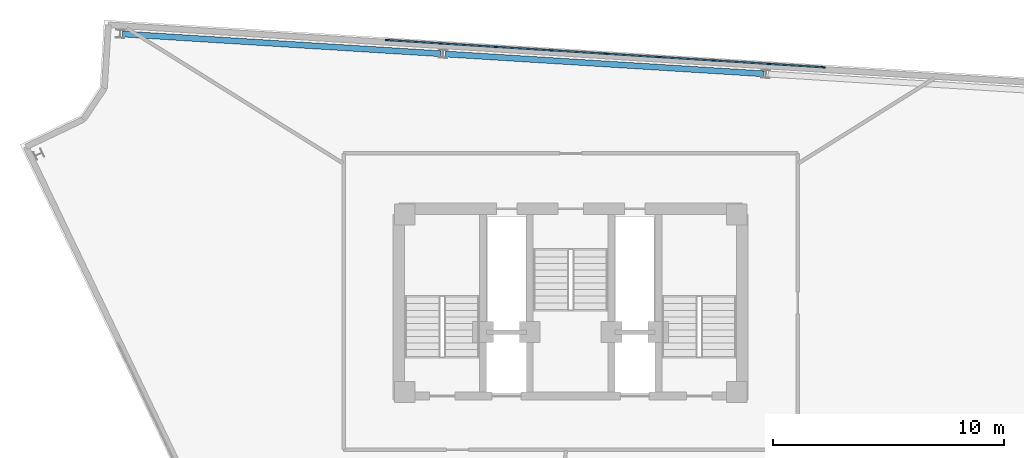
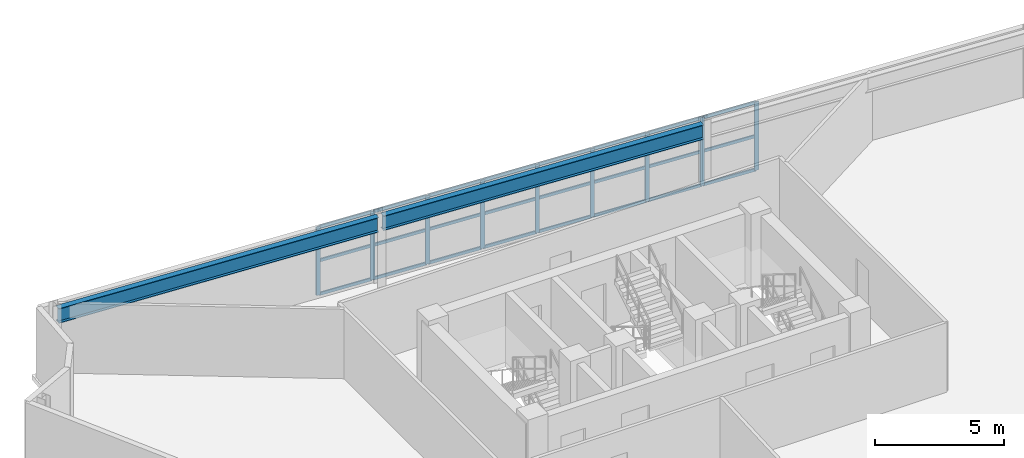
# One storey, part 5 of 8: 33 members, 2 beams, 1 element without a shape of its own.
"""IFC4 building model written with IfcOpenShell, lengths in metres."""

from ifc_helpers import new_model, si_unit, direction, frame, origin, origin_2d, place, context, subcontext, project, spatial, rectangle, i_section, extrude, material, layer, layer_set, material_profile, profile_set, type_object, element, aggregate, save


model = new_model("IFC4")

# Units and contexts
model_context = context("Model", 3, precision=1e-05, world=origin(), true_north=direction((0.0, 1.0)))
body_context = subcontext(model_context, "Body", "Model", "MODEL_VIEW")
ifc_project = project(units=[si_unit("LENGTHUNIT", "METRE"), si_unit("AREAUNIT", "SQUARE_METRE"), si_unit("VOLUMEUNIT", "CUBIC_METRE"), si_unit("PLANEANGLEUNIT", "RADIAN"), si_unit("MASSUNIT", "GRAM", prefix="KILO")], contexts=[model_context])

# Site, building, storey
site_placement = place(None, origin())
site = spatial("IfcSite", under=ifc_project, at=site_placement, CompositionType="ELEMENT")
building_placement = place(site_placement, origin())
building = spatial("IfcBuilding", under=site, at=building_placement, Name="Apsidion Concourse Tower", CompositionType="ELEMENT")
storey_placement = place(building_placement, frame((0.0, 0.0, 332.5)))
storey = spatial("IfcBuildingStorey", under=building, at=storey_placement, Name="L78", CompositionType="ELEMENT", Elevation=332.5)

# Beams
ifc_material_1 = material(Name="Structural steel ASTM A992 Grade 50", Category="steel")
ifc_material_profile_1 = material_profile(ifc_material_1, i_section(OverallWidth=0.256103515625, OverallDepth=0.693115234375, WebThickness=0.014404296875, FlangeThickness=0.023681640625, at=origin_2d()), Name="W27X114")
ifc_profile_set_1 = profile_set([ifc_material_profile_1], Name="Structural steel ASTM A992 Grade 50")
beam_type = type_object("IfcBeamType", Name="BM-SP-W27", PredefinedType="SPANDREL", material=ifc_profile_set_1)
for number, where, z_axis, x_axis, name in (
    (1, (8.36962890625, 15.254638671875, 2.93359375), (-0.998076537228, 0.061993756414, 0.0), (-0.061993756414, -0.998076537228, 0.0), "L78 Crown Perimeter Spandrel Beam CSP-04"),
    (2, (-5.637939453125, 16.12451171875, 2.93359375), (-0.998076537228, 0.061993756414, 0.0), (-0.061993756414, -0.998076537228, 0.0), "L78 Crown Perimeter Spandrel Beam CSP-05"),
):
    element("IfcBeam", number, at=place(storey_placement, frame(where, z_axis=z_axis, x_axis=x_axis)), inside=storey, type_object=beam_type, Name=name, PredefinedType="SPANDREL", context=body_context, shape_type="SweptSolid", body=[
        extrude(i_section(OverallWidth=0.256103515625, OverallDepth=0.693115234375, WebThickness=0.014404296875, FlangeThickness=0.023681640625, at=origin_2d()), origin(), (0.0, 0.0, 1.0), 13.834716796875),
    ])

# Curtain wall, members
ifc_material_2 = material(Name="Insulated laminated low-E glass", Category="glass")
ifc_layer = layer(ifc_material_2, 0.239990234375)
ifc_layer_set = layer_set([ifc_layer], Name="Insulated laminated low-E glass")
curtain_wall_type = type_object("IfcCurtainWallType", Name="CW-SYS-06", PredefinedType="NOTDEFINED", material=ifc_layer_set)
curtain_wall_placement = place(storey_placement, origin())
curtain_wall = element("IfcCurtainWall", 3, at=curtain_wall_placement, inside=storey, type_object=curtain_wall_type, Name="L78 Slanted Crown Curtain Wall 4", PredefinedType="NOTDEFINED")
ifc_material_3 = material(Name="Anodised aluminium EN AW-6063 T6", Category="aluminium")
ifc_material_profile_2 = material_profile(ifc_material_3, rectangle(XDim=0.06494140625, YDim=0.179931640625, at=origin_2d()), Name="ALU MULLION 65x180")
ifc_profile_set_2 = profile_set([ifc_material_profile_2], Name="Anodised aluminium EN AW-6063 T6")
member_type_1 = type_object("IfcMemberType", Name="CWM-65X180", PredefinedType="MULLION", material=ifc_profile_set_2)
member_1_placement = place(storey_placement, frame((-7.951171875, 16.716552734375, 0.0), z_axis=(0.0, 0.0, 1.0), x_axis=(0.062244591953, 0.998060925381, 0.0)))
member_1 = element("IfcMember", 4, at=member_1_placement, type_object=member_type_1, Name="CW-06 mullion 1", PredefinedType="MULLION", context=body_context, shape_type="SweptSolid", body=[
    extrude(rectangle(XDim=0.06494140625, YDim=0.179931640625, at=origin_2d()), origin(), (0.0, 0.0, 1.0), 3.22998046875),
])
member_2_placement = place(storey_placement, frame((-5.61328125, 16.57080078125, 0.0), z_axis=(0.0, 0.0, 1.0), x_axis=(0.062244591953, 0.998060925381, 0.0)))
member_2 = element("IfcMember", 5, at=member_2_placement, type_object=member_type_1, Name="CW-06 mullion 2", PredefinedType="MULLION", context=body_context, shape_type="SweptSolid", body=[
    extrude(rectangle(XDim=0.06494140625, YDim=0.179931640625, at=origin_2d()), origin(), (0.0, 0.0, 1.0), 3.22998046875),
])
member_3_placement = place(storey_placement, frame((-3.2431640625, 16.4228515625, 0.0), z_axis=(0.0, 0.0, 1.0), x_axis=(0.062244591953, 0.998060925381, 0.0)))
member_3 = element("IfcMember", 6, at=member_3_placement, type_object=member_type_1, Name="CW-06 mullion 3", PredefinedType="MULLION", context=body_context, shape_type="SweptSolid", body=[
    extrude(rectangle(XDim=0.06494140625, YDim=0.179931640625, at=origin_2d()), origin(), (0.0, 0.0, 1.0), 3.22998046875),
])
member_4_placement = place(storey_placement, frame((-0.872802734375, 16.275146484375, 0.0), z_axis=(0.0, 0.0, 1.0), x_axis=(0.062244591953, 0.998060925381, 0.0)))
member_4 = element("IfcMember", 7, at=member_4_placement, type_object=member_type_1, Name="CW-06 mullion 4", PredefinedType="MULLION", context=body_context, shape_type="SweptSolid", body=[
    extrude(rectangle(XDim=0.06494140625, YDim=0.179931640625, at=origin_2d()), origin(), (0.0, 0.0, 1.0), 3.22998046875),
])
member_5_placement = place(storey_placement, frame((1.49755859375, 16.127197265625, 0.0), z_axis=(0.0, 0.0, 1.0), x_axis=(0.062244591953, 0.998060925381, 0.0)))
member_5 = element("IfcMember", 8, at=member_5_placement, type_object=member_type_1, Name="CW-06 mullion 5", PredefinedType="MULLION", context=body_context, shape_type="SweptSolid", body=[
    extrude(rectangle(XDim=0.06494140625, YDim=0.179931640625, at=origin_2d()), origin(), (0.0, 0.0, 1.0), 3.22998046875),
])
member_6_placement = place(storey_placement, frame((3.867919921875, 15.9794921875, 0.0), z_axis=(0.0, 0.0, 1.0), x_axis=(0.062244591953, 0.998060925381, 0.0)))
member_6 = element("IfcMember", 9, at=member_6_placement, type_object=member_type_1, Name="CW-06 mullion 6", PredefinedType="MULLION", context=body_context, shape_type="SweptSolid", body=[
    extrude(rectangle(XDim=0.06494140625, YDim=0.179931640625, at=origin_2d()), origin(), (0.0, 0.0, 1.0), 3.22998046875),
])
member_7_placement = place(storey_placement, frame((6.238037109375, 15.83154296875, 0.0), z_axis=(0.0, 0.0, 1.0), x_axis=(0.062244591953, 0.998060925381, 0.0)))
member_7 = element("IfcMember", 10, at=member_7_placement, type_object=member_type_1, Name="CW-06 mullion 7", PredefinedType="MULLION", context=body_context, shape_type="SweptSolid", body=[
    extrude(rectangle(XDim=0.06494140625, YDim=0.179931640625, at=origin_2d()), origin(), (0.0, 0.0, 1.0), 3.22998046875),
])
member_8_placement = place(storey_placement, frame((8.6083984375, 15.683837890625, 0.0), z_axis=(0.0, 0.0, 1.0), x_axis=(0.062244591953, 0.998060925381, 0.0)))
member_8 = element("IfcMember", 11, at=member_8_placement, type_object=member_type_1, Name="CW-06 mullion 8", PredefinedType="MULLION", context=body_context, shape_type="SweptSolid", body=[
    extrude(rectangle(XDim=0.06494140625, YDim=0.179931640625, at=origin_2d()), origin(), (0.0, 0.0, 1.0), 3.22998046875),
])
member_9_placement = place(storey_placement, frame((10.9462890625, 15.5380859375, 0.0), z_axis=(0.0, 0.0, 1.0), x_axis=(0.062244591953, 0.998060925381, 0.0)))
member_9 = element("IfcMember", 12, at=member_9_placement, type_object=member_type_1, Name="CW-06 mullion 9", PredefinedType="MULLION", context=body_context, shape_type="SweptSolid", body=[
    extrude(rectangle(XDim=0.06494140625, YDim=0.179931640625, at=origin_2d()), origin(), (0.0, 0.0, 1.0), 3.22998046875),
])
ifc_material_profile_3 = material_profile(ifc_material_3, rectangle(XDim=0.06494140625, YDim=0.139892578125, at=origin_2d()), Name="ALU TRANSOM 65x140")
ifc_profile_set_3 = profile_set([ifc_material_profile_3], Name="Anodised aluminium EN AW-6063 T6")
member_type_2 = type_object("IfcMemberType", Name="CWT-65X140", PredefinedType="USERDEFINED", material=ifc_profile_set_3)
member_10_placement = place(storey_placement, frame((-7.9189453125, 16.714599609375, 0.032470703125), z_axis=(0.998058829769, -0.062278184953, 0.0), x_axis=(0.062278184953, 0.998058829769, 0.0)))
member_10 = element("IfcMember", 13, at=member_10_placement, type_object=member_type_2, Name="CW-06 transom 1.1", ObjectType="TRANSOM", PredefinedType="USERDEFINED", context=body_context, shape_type="SweptSolid", body=[
    extrude(rectangle(XDim=0.06494140625, YDim=0.139892578125, at=origin_2d()), origin(), (0.0, 0.0, 1.0), 2.277587890625),
])
member_11_placement = place(storey_placement, frame((-7.9189453125, 16.714599609375, 1.614990234375), z_axis=(0.998058829769, -0.062278184953, 0.0), x_axis=(0.062278184953, 0.998058829769, 0.0)))
member_11 = element("IfcMember", 14, at=member_11_placement, type_object=member_type_2, Name="CW-06 transom 1.2", ObjectType="TRANSOM", PredefinedType="USERDEFINED", context=body_context, shape_type="SweptSolid", body=[
    extrude(rectangle(XDim=0.06494140625, YDim=0.139892578125, at=origin_2d()), origin(), (0.0, 0.0, 1.0), 2.277587890625),
])
member_12_placement = place(storey_placement, frame((-7.9189453125, 16.714599609375, 3.197509765625), z_axis=(0.998058829769, -0.062278184953, 0.0), x_axis=(0.062278184953, 0.998058829769, 0.0)))
member_12 = element("IfcMember", 15, at=member_12_placement, type_object=member_type_2, Name="CW-06 transom 1.3", ObjectType="TRANSOM", PredefinedType="USERDEFINED", context=body_context, shape_type="SweptSolid", body=[
    extrude(rectangle(XDim=0.06494140625, YDim=0.139892578125, at=origin_2d()), origin(), (0.0, 0.0, 1.0), 2.277587890625),
])
member_13_placement = place(storey_placement, frame((-5.5810546875, 16.56884765625, 0.032470703125), z_axis=(0.998060384543, -0.062253263422, 0.0), x_axis=(0.062253263422, 0.998060384543, 0.0)))
member_13 = element("IfcMember", 16, at=member_13_placement, type_object=member_type_2, Name="CW-06 transom 2.1", ObjectType="TRANSOM", PredefinedType="USERDEFINED", context=body_context, shape_type="SweptSolid", body=[
    extrude(rectangle(XDim=0.06494140625, YDim=0.139892578125, at=origin_2d()), origin(), (0.0, 0.0, 1.0), 2.309814453125),
])
member_14_placement = place(storey_placement, frame((-5.5810546875, 16.56884765625, 1.614990234375), z_axis=(0.998060384543, -0.062253263422, 0.0), x_axis=(0.062253263422, 0.998060384543, 0.0)))
member_14 = element("IfcMember", 17, at=member_14_placement, type_object=member_type_2, Name="CW-06 transom 2.2", ObjectType="TRANSOM", PredefinedType="USERDEFINED", context=body_context, shape_type="SweptSolid", body=[
    extrude(rectangle(XDim=0.06494140625, YDim=0.139892578125, at=origin_2d()), origin(), (0.0, 0.0, 1.0), 2.309814453125),
])
member_15_placement = place(storey_placement, frame((-5.5810546875, 16.56884765625, 3.197509765625), z_axis=(0.998060384543, -0.062253263422, 0.0), x_axis=(0.062253263422, 0.998060384543, 0.0)))
member_15 = element("IfcMember", 18, at=member_15_placement, type_object=member_type_2, Name="CW-06 transom 2.3", ObjectType="TRANSOM", PredefinedType="USERDEFINED", context=body_context, shape_type="SweptSolid", body=[
    extrude(rectangle(XDim=0.06494140625, YDim=0.139892578125, at=origin_2d()), origin(), (0.0, 0.0, 1.0), 2.309814453125),
])
member_16_placement = place(storey_placement, frame((-3.210693359375, 16.4208984375, 0.032470703125), z_axis=(0.998060384543, -0.062253263422, 0.0), x_axis=(0.062253263422, 0.998060384543, 0.0)))
member_16 = element("IfcMember", 19, at=member_16_placement, type_object=member_type_2, Name="CW-06 transom 3.1", ObjectType="TRANSOM", PredefinedType="USERDEFINED", context=body_context, shape_type="SweptSolid", body=[
    extrude(rectangle(XDim=0.06494140625, YDim=0.139892578125, at=origin_2d()), origin(), (0.0, 0.0, 1.0), 2.309814453125),
])
member_17_placement = place(storey_placement, frame((-3.210693359375, 16.4208984375, 1.614990234375), z_axis=(0.998060384543, -0.062253263422, 0.0), x_axis=(0.062253263422, 0.998060384543, 0.0)))
member_17 = element("IfcMember", 20, at=member_17_placement, type_object=member_type_2, Name="CW-06 transom 3.2", ObjectType="TRANSOM", PredefinedType="USERDEFINED", context=body_context, shape_type="SweptSolid", body=[
    extrude(rectangle(XDim=0.06494140625, YDim=0.139892578125, at=origin_2d()), origin(), (0.0, 0.0, 1.0), 2.309814453125),
])
member_18_placement = place(storey_placement, frame((-3.210693359375, 16.4208984375, 3.197509765625), z_axis=(0.998060384543, -0.062253263422, 0.0), x_axis=(0.062253263422, 0.998060384543, 0.0)))
member_18 = element("IfcMember", 21, at=member_18_placement, type_object=member_type_2, Name="CW-06 transom 3.3", ObjectType="TRANSOM", PredefinedType="USERDEFINED", context=body_context, shape_type="SweptSolid", body=[
    extrude(rectangle(XDim=0.06494140625, YDim=0.139892578125, at=origin_2d()), origin(), (0.0, 0.0, 1.0), 2.309814453125),
])
member_19_placement = place(storey_placement, frame((-0.84033203125, 16.273193359375, 0.032470703125), z_axis=(0.998060384543, -0.062253263422, 0.0), x_axis=(0.062253263422, 0.998060384543, 0.0)))
member_19 = element("IfcMember", 22, at=member_19_placement, type_object=member_type_2, Name="CW-06 transom 4.1", ObjectType="TRANSOM", PredefinedType="USERDEFINED", context=body_context, shape_type="SweptSolid", body=[
    extrude(rectangle(XDim=0.06494140625, YDim=0.139892578125, at=origin_2d()), origin(), (0.0, 0.0, 1.0), 2.309814453125),
])
member_20_placement = place(storey_placement, frame((-0.84033203125, 16.273193359375, 1.614990234375), z_axis=(0.998060384543, -0.062253263422, 0.0), x_axis=(0.062253263422, 0.998060384543, 0.0)))
member_20 = element("IfcMember", 23, at=member_20_placement, type_object=member_type_2, Name="CW-06 transom 4.2", ObjectType="TRANSOM", PredefinedType="USERDEFINED", context=body_context, shape_type="SweptSolid", body=[
    extrude(rectangle(XDim=0.06494140625, YDim=0.139892578125, at=origin_2d()), origin(), (0.0, 0.0, 1.0), 2.309814453125),
])
member_21_placement = place(storey_placement, frame((-0.84033203125, 16.273193359375, 3.197509765625), z_axis=(0.998060384543, -0.062253263422, 0.0), x_axis=(0.062253263422, 0.998060384543, 0.0)))
member_21 = element("IfcMember", 24, at=member_21_placement, type_object=member_type_2, Name="CW-06 transom 4.3", ObjectType="TRANSOM", PredefinedType="USERDEFINED", context=body_context, shape_type="SweptSolid", body=[
    extrude(rectangle(XDim=0.06494140625, YDim=0.139892578125, at=origin_2d()), origin(), (0.0, 0.0, 1.0), 2.309814453125),
])
member_22_placement = place(storey_placement, frame((1.530029296875, 16.125244140625, 0.032470703125), z_axis=(0.998060384543, -0.062253263422, 0.0), x_axis=(0.062253263422, 0.998060384543, 0.0)))
member_22 = element("IfcMember", 25, at=member_22_placement, type_object=member_type_2, Name="CW-06 transom 5.1", ObjectType="TRANSOM", PredefinedType="USERDEFINED", context=body_context, shape_type="SweptSolid", body=[
    extrude(rectangle(XDim=0.06494140625, YDim=0.139892578125, at=origin_2d()), origin(), (0.0, 0.0, 1.0), 2.309814453125),
])
member_23_placement = place(storey_placement, frame((1.530029296875, 16.125244140625, 1.614990234375), z_axis=(0.998060384543, -0.062253263422, 0.0), x_axis=(0.062253263422, 0.998060384543, 0.0)))
member_23 = element("IfcMember", 26, at=member_23_placement, type_object=member_type_2, Name="CW-06 transom 5.2", ObjectType="TRANSOM", PredefinedType="USERDEFINED", context=body_context, shape_type="SweptSolid", body=[
    extrude(rectangle(XDim=0.06494140625, YDim=0.139892578125, at=origin_2d()), origin(), (0.0, 0.0, 1.0), 2.309814453125),
])
member_24_placement = place(storey_placement, frame((1.530029296875, 16.125244140625, 3.197509765625), z_axis=(0.998060384543, -0.062253263422, 0.0), x_axis=(0.062253263422, 0.998060384543, 0.0)))
member_24 = element("IfcMember", 27, at=member_24_placement, type_object=member_type_2, Name="CW-06 transom 5.3", ObjectType="TRANSOM", PredefinedType="USERDEFINED", context=body_context, shape_type="SweptSolid", body=[
    extrude(rectangle(XDim=0.06494140625, YDim=0.139892578125, at=origin_2d()), origin(), (0.0, 0.0, 1.0), 2.309814453125),
])
member_25_placement = place(storey_placement, frame((3.900146484375, 15.9775390625, 0.032470703125), z_axis=(0.998060384543, -0.062253263422, 0.0), x_axis=(0.062253263422, 0.998060384543, 0.0)))
member_25 = element("IfcMember", 28, at=member_25_placement, type_object=member_type_2, Name="CW-06 transom 6.1", ObjectType="TRANSOM", PredefinedType="USERDEFINED", context=body_context, shape_type="SweptSolid", body=[
    extrude(rectangle(XDim=0.06494140625, YDim=0.139892578125, at=origin_2d()), origin(), (0.0, 0.0, 1.0), 2.309814453125),
])
member_26_placement = place(storey_placement, frame((3.900146484375, 15.9775390625, 1.614990234375), z_axis=(0.998060384543, -0.062253263422, 0.0), x_axis=(0.062253263422, 0.998060384543, 0.0)))
member_26 = element("IfcMember", 29, at=member_26_placement, type_object=member_type_2, Name="CW-06 transom 6.2", ObjectType="TRANSOM", PredefinedType="USERDEFINED", context=body_context, shape_type="SweptSolid", body=[
    extrude(rectangle(XDim=0.06494140625, YDim=0.139892578125, at=origin_2d()), origin(), (0.0, 0.0, 1.0), 2.309814453125),
])
member_27_placement = place(storey_placement, frame((3.900146484375, 15.9775390625, 3.197509765625), z_axis=(0.998060384543, -0.062253263422, 0.0), x_axis=(0.062253263422, 0.998060384543, 0.0)))
member_27 = element("IfcMember", 30, at=member_27_placement, type_object=member_type_2, Name="CW-06 transom 6.3", ObjectType="TRANSOM", PredefinedType="USERDEFINED", context=body_context, shape_type="SweptSolid", body=[
    extrude(rectangle(XDim=0.06494140625, YDim=0.139892578125, at=origin_2d()), origin(), (0.0, 0.0, 1.0), 2.309814453125),
])
member_28_placement = place(storey_placement, frame((6.2705078125, 15.82958984375, 0.032470703125), z_axis=(0.998060384543, -0.062253263422, 0.0), x_axis=(0.062253263422, 0.998060384543, 0.0)))
member_28 = element("IfcMember", 31, at=member_28_placement, type_object=member_type_2, Name="CW-06 transom 7.1", ObjectType="TRANSOM", PredefinedType="USERDEFINED", context=body_context, shape_type="SweptSolid", body=[
    extrude(rectangle(XDim=0.06494140625, YDim=0.139892578125, at=origin_2d()), origin(), (0.0, 0.0, 1.0), 2.309814453125),
])
member_29_placement = place(storey_placement, frame((6.2705078125, 15.82958984375, 1.614990234375), z_axis=(0.998060384543, -0.062253263422, 0.0), x_axis=(0.062253263422, 0.998060384543, 0.0)))
member_29 = element("IfcMember", 32, at=member_29_placement, type_object=member_type_2, Name="CW-06 transom 7.2", ObjectType="TRANSOM", PredefinedType="USERDEFINED", context=body_context, shape_type="SweptSolid", body=[
    extrude(rectangle(XDim=0.06494140625, YDim=0.139892578125, at=origin_2d()), origin(), (0.0, 0.0, 1.0), 2.309814453125),
])
member_30_placement = place(storey_placement, frame((6.2705078125, 15.82958984375, 3.197509765625), z_axis=(0.998060384543, -0.062253263422, 0.0), x_axis=(0.062253263422, 0.998060384543, 0.0)))
member_30 = element("IfcMember", 33, at=member_30_placement, type_object=member_type_2, Name="CW-06 transom 7.3", ObjectType="TRANSOM", PredefinedType="USERDEFINED", context=body_context, shape_type="SweptSolid", body=[
    extrude(rectangle(XDim=0.06494140625, YDim=0.139892578125, at=origin_2d()), origin(), (0.0, 0.0, 1.0), 2.309814453125),
])
member_31_placement = place(storey_placement, frame((8.640869140625, 15.681884765625, 0.032470703125), z_axis=(0.998058413952, -0.06228484839, 0.0), x_axis=(0.06228484839, 0.998058413952, 0.0)))
member_31 = element("IfcMember", 34, at=member_31_placement, type_object=member_type_2, Name="CW-06 transom 8.1", ObjectType="TRANSOM", PredefinedType="USERDEFINED", context=body_context, shape_type="SweptSolid", body=[
    extrude(rectangle(XDim=0.06494140625, YDim=0.139892578125, at=origin_2d()), origin(), (0.0, 0.0, 1.0), 2.27734375),
])
member_32_placement = place(storey_placement, frame((8.640869140625, 15.681884765625, 1.614990234375), z_axis=(0.998058413952, -0.06228484839, 0.0), x_axis=(0.06228484839, 0.998058413952, 0.0)))
member_32 = element("IfcMember", 35, at=member_32_placement, type_object=member_type_2, Name="CW-06 transom 8.2", ObjectType="TRANSOM", PredefinedType="USERDEFINED", context=body_context, shape_type="SweptSolid", body=[
    extrude(rectangle(XDim=0.06494140625, YDim=0.139892578125, at=origin_2d()), origin(), (0.0, 0.0, 1.0), 2.27734375),
])
member_33_placement = place(storey_placement, frame((8.640869140625, 15.681884765625, 3.197509765625), z_axis=(0.998058413952, -0.06228484839, 0.0), x_axis=(0.06228484839, 0.998058413952, 0.0)))
member_33 = element("IfcMember", 36, at=member_33_placement, type_object=member_type_2, Name="CW-06 transom 8.3", ObjectType="TRANSOM", PredefinedType="USERDEFINED", context=body_context, shape_type="SweptSolid", body=[
    extrude(rectangle(XDim=0.06494140625, YDim=0.139892578125, at=origin_2d()), origin(), (0.0, 0.0, 1.0), 2.27734375),
])
aggregate(curtain_wall, [member_1, member_2, member_3, member_4, member_5, member_6, member_7, member_8, member_9, member_10, member_11, member_12, member_13, member_14, member_15, member_16, member_17, member_18, member_19, member_20, member_21, member_22, member_23, member_24, member_25, member_26, member_27, member_28, member_29, member_30, member_31, member_32, member_33])

save(model, "model.ifc")
